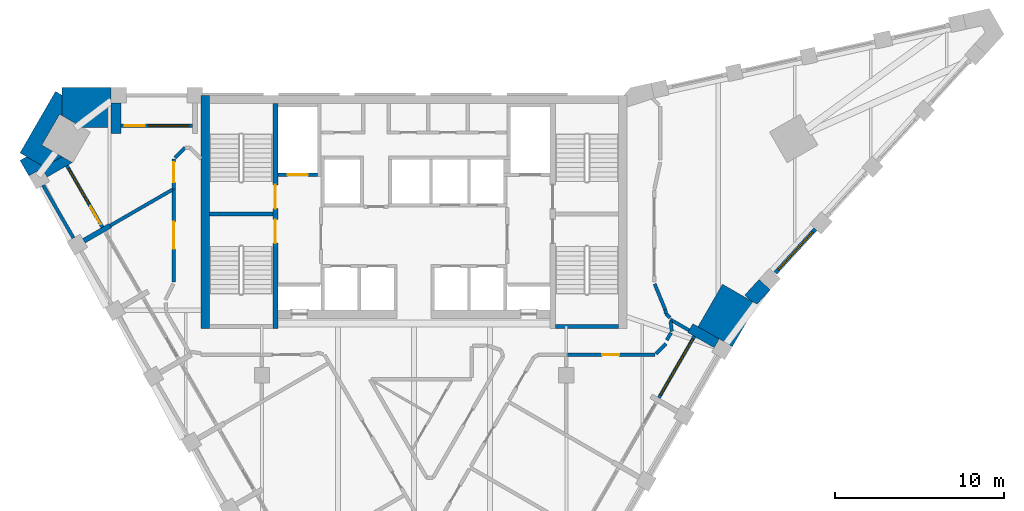
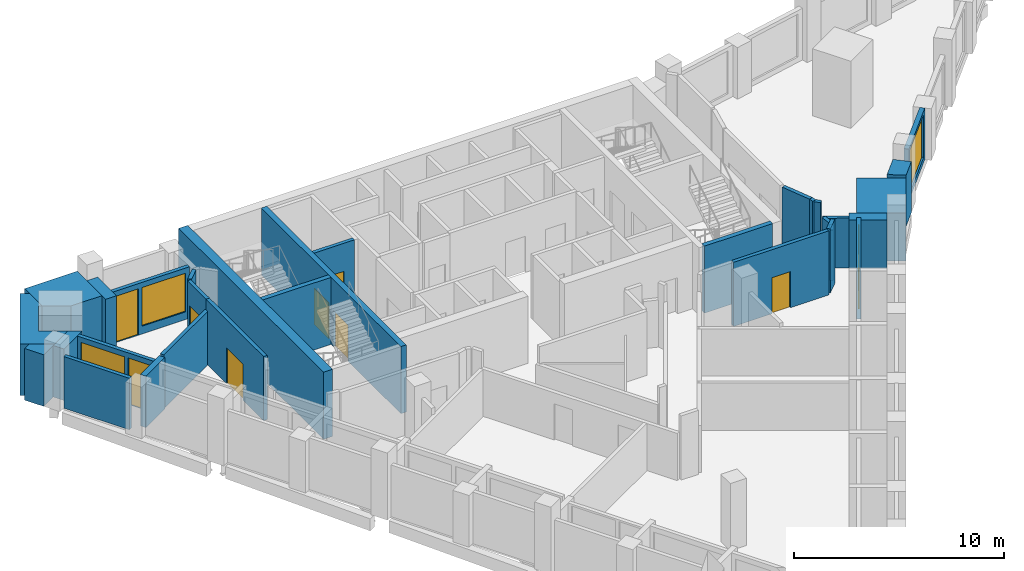
# One storey, part 5 of 9: 31 walls, 8 doors, 4 windows, 12 openings.
"""IFC4 building model written with IfcOpenShell, lengths in metres."""

from ifc_helpers import new_model, si_unit, direction, frame, frame_2d, origin, place, context, subcontext, project, spatial, polyline, rectangle, outline, extrude, material, layer, layer_set, type_object, element, fill, save


model = new_model("IFC4")

# Units and contexts
model_context = context("Model", 3, precision=1e-05, world=origin(), true_north=direction((0.0, 1.0)))
body_context = subcontext(model_context, "Body", "Model", "MODEL_VIEW")
ifc_project = project(units=[si_unit("LENGTHUNIT", "METRE"), si_unit("AREAUNIT", "SQUARE_METRE"), si_unit("VOLUMEUNIT", "CUBIC_METRE"), si_unit("PLANEANGLEUNIT", "RADIAN"), si_unit("MASSUNIT", "GRAM", prefix="KILO")], contexts=[model_context])

# Site, building, storey
site_placement = place(None, origin())
site = spatial("IfcSite", under=ifc_project, at=site_placement, CompositionType="ELEMENT")
building_placement = place(site_placement, origin())
building = spatial("IfcBuilding", under=site, at=building_placement, Name="Calabash Gate Tower", CompositionType="ELEMENT")
storey_placement = place(building_placement, frame((0.0, 0.0, 291.10009765625)))
storey = spatial("IfcBuildingStorey", under=building, at=storey_placement, Name="L70", CompositionType="ELEMENT", Elevation=291.10009765625)

# Walls
ifc_material_1 = material(Name="Terracotta brick masonry, exposed face", Category="masonry")
ifc_layer_1 = layer(ifc_material_1, 2.35009765625)
ifc_layer_set_1 = layer_set([ifc_layer_1], Name="Brick corner mass wall 2350")
wall_type_1 = type_object("IfcWallType", Name="Brick corner mass wall 2350", PredefinedType="SOLIDWALL", material=ifc_layer_set_1)
wall_1_placement = place(storey_placement, origin())
element("IfcWall", 1, at=wall_1_placement, inside=storey, type_object=wall_type_1, Name="Brick corner pier S21 2", PredefinedType="SOLIDWALL", context=body_context, shape_type="SweptSolid", body=[
    extrude(outline(polyline([(18.82275390625, 4.19482421875), (18.822509765625, 4.1943359375), (18.822509765625, 4.1943359375), (20.271240234375, 6.703125), (18.236083984375, 7.878173828125), (16.787353515625, 5.369140625), (18.04296875, 4.644287109375), (18.043212890625, 4.644775390625), (18.82275390625, 4.19482421875)])), origin(), (0.0, 0.0, 1.0), 2.807861328125),
])
wall_2_placement = place(storey_placement, origin())
element("IfcWall", 2, at=wall_2_placement, inside=storey, type_object=wall_type_1, Name="Brick corner pier S21 3a", PredefinedType="SOLIDWALL", context=body_context, shape_type="SweptSolid", body=[
    extrude(outline(polyline([(-19.6171875, 17.152587890625), (-17.915771484375, 17.152587890625), (-17.915771484375, 18.60302734375), (-17.916015625, 18.60302734375), (-17.916015625, 19.50244140625), (-20.812744140625, 19.50244140625), (-20.812744140625, 17.8427734375), (-19.6171875, 17.152587890625)])), origin(), (0.0, 0.0, 1.0), 3.0),
])
wall_3_placement = place(storey_placement, origin())
element("IfcWall", 3, at=wall_3_placement, inside=storey, type_object=wall_type_1, Name="Brick corner pier S21 3b", PredefinedType="SOLIDWALL", context=body_context, shape_type="SweptSolid", body=[
    extrude(outline(polyline([(-20.957275390625, 17.92626953125), (-20.812744140625, 17.8427734375), (-20.812744140625, 19.052490234375), (-21.202392578125, 19.277587890625), (-23.301025390625, 15.64306640625), (-21.862548828125, 14.8125), (-20.813232421875, 15.418212890625), (-22.00732421875, 16.107666015625), (-20.957275390625, 17.92626953125)])), origin(), (0.0, 0.0, 1.0), 3.0),
])
wall_4_placement = place(storey_placement, origin())
element("IfcWall", 4, at=wall_4_placement, inside=storey, type_object=wall_type_1, Name="Brick corner pier S21 3c", PredefinedType="SOLIDWALL", context=body_context, shape_type="SweptSolid", body=[
    extrude(outline(polyline([(-21.997314453125, 14.734619140625), (-21.862548828125, 14.8125), (-22.9111328125, 15.41796875), (-23.301025390625, 15.19287109375), (-22.776611328125, 14.28466796875), (-21.997314453125, 14.734619140625), (-21.997314453125, 14.734619140625)])), origin(), (0.0, 0.0, 1.0), 3.0),
])
ifc_material_2 = material(Name="Terracotta brick masonry, exposed face", Category="masonry")
ifc_layer_2 = layer(ifc_material_2, 0.89990234375)
ifc_layer_set_2 = layer_set([ifc_layer_2], Name="Brick end wall 900")
wall_type_2 = type_object("IfcWallType", Name="Brick end wall 900", PredefinedType="SOLIDWALL", material=ifc_layer_set_2)
wall_5_placement = place(storey_placement, origin())
element("IfcWall", 5, at=wall_5_placement, inside=storey, type_object=wall_type_2, Name="Brick end wall S21 1", PredefinedType="SOLIDWALL", context=body_context, shape_type="SweptSolid", body=[
    extrude(outline(polyline([(20.394775390625, 8.15625), (19.54931640625, 7.23193359375), (19.88134765625, 6.92822265625), (20.271240234375, 6.703125), (20.24658203125, 6.66064453125), (21.058837890625, 7.548828125), (20.394775390625, 8.15625)])), origin(), (0.0, 0.0, 1.0), 2.973388671875),
])
ifc_material_3 = material(Name="Terracotta brick masonry, exposed face", Category="masonry")
ifc_layer_3 = layer(ifc_material_3, 0.300048828125)
ifc_layer_set_3 = layer_set([ifc_layer_3], Name="Brick loggia cheek wall 300")
wall_type_3 = type_object("IfcWallType", Name="Brick loggia cheek wall 300", PredefinedType="SOLIDWALL", material=ifc_layer_set_3)
wall_6_placement = place(storey_placement, origin())
element("IfcWall", 6, at=wall_6_placement, inside=storey, type_object=wall_type_3, Name="Loggia cheek S21 SW0.0", PredefinedType="SOLIDWALL", context=body_context, shape_type="SweptSolid", body=[
    extrude(outline(polyline([(-21.9970703125, 14.73486328125), (-21.697265625, 14.215087890625), (-20.21337890625, 15.07177734375), (-20.813232421875, 15.418212890625), (-21.9970703125, 14.73486328125)])), origin(), (0.0, 0.0, 1.0), 3.0),
])
wall_7_placement = place(storey_placement, frame((-17.96337890625, 11.347900390625, 0.0), z_axis=(0.0, 0.0, 1.0), x_axis=(-0.866047807691, -0.499961193289, 0.0)))
element("IfcWall", 7, at=wall_7_placement, inside=storey, type_object=wall_type_3, Name="Loggia cheek S21 SW0.1", PredefinedType="SOLIDWALL", context=body_context, shape_type="SweptSolid", body=[
    extrude(rectangle(XDim=1.800048828125, YDim=0.300048828125, at=frame_2d((0.89990234375, 0.0))), origin(), (0.0, 0.0, 1.0), 3.0),
])
wall_8_placement = place(storey_placement, frame((17.89306640625, 4.384521484375, 0.0), z_axis=(0.0, 0.0, 1.0), x_axis=(-0.866047807691, 0.499961193289, 0.0)))
element("IfcWall", 8, at=wall_8_placement, inside=storey, type_object=wall_type_3, Name="Loggia cheek S21 SE2.6", PredefinedType="SOLIDWALL", context=body_context, shape_type="SweptSolid", body=[
    extrude(rectangle(XDim=1.800048828125, YDim=0.60009765625, at=frame_2d((0.89990234375, 0.0))), origin(), (0.0, 0.0, 1.0), 2.807861328125),
])
wall_9_placement = place(storey_placement, origin())
element("IfcWall", 9, at=wall_9_placement, inside=storey, type_object=wall_type_3, Name="Loggia cheek S21 N6.6", PredefinedType="SOLIDWALL", context=body_context, shape_type="SweptSolid", body=[
    extrude(outline(polyline([(-17.915771484375, 18.6025390625), (-17.915771484375, 16.802490234375), (-17.315673828125, 16.802490234375), (-17.315673828125, 18.6025390625), (-17.915771484375, 18.6025390625)])), origin(), (0.0, 0.0, 1.0), 3.0),
])
ifc_material_4 = material(Name="Concrete C60/75", Category="concrete")
ifc_layer_4 = layer(ifc_material_4, 0.25)
ifc_layer_set_4 = layer_set([ifc_layer_4], Name="Core wall 250 Concrete C60/75")
wall_type_4 = type_object("IfcWallType", Name="Core wall 250 Concrete C60/75", PredefinedType="SHEAR", material=ifc_layer_set_4)
for number, where, z_axis, x_axis, name in (
    (10, (-12.10009765625, 12.027587890625, 0.0), (0.0, 0.0, 1.0), (1.0, 0.0, 0.0), "Core wall Z5-MIDW L70"),
    (11, (8.35009765625, 5.377685546875, 0.0), (0.0, 0.0, 1.0), (1.0, 0.0, 0.0), "Core wall Z5-SSE L70"),
):
    element("IfcWall", number, at=place(storey_placement, frame(where, z_axis=z_axis, x_axis=x_axis)), inside=storey, type_object=wall_type_4, Name=name, PredefinedType="SHEAR", context=body_context, shape_type="SweptSolid", body=[
        extrude(rectangle(XDim=3.75, YDim=0.25, at=frame_2d((1.875, 0.0))), origin(), (0.0, 0.0, 1.0), 3.89990234375),
    ])

# Wall, openings, doors
ifc_material_5 = material(Name="Concrete C60/75", Category="concrete")
ifc_layer_5 = layer(ifc_material_5, 0.300048828125)
ifc_layer_set_5 = layer_set([ifc_layer_5], Name="Core wall 300 Concrete C60/75")
wall_type_5 = type_object("IfcWallType", Name="Core wall 300 Concrete C60/75", PredefinedType="SHEAR", material=ifc_layer_set_5)
wall_10_placement = place(storey_placement, frame((-8.199951171875, 5.252685546875, 0.0), z_axis=(0.0, 0.0, 1.0), x_axis=(0.0, 1.0, 0.0)))
wall_10 = element("IfcWall", 12, at=wall_10_placement, inside=storey, type_object=wall_type_5, Name="Core wall Z5-PARTW L70", PredefinedType="SHEAR", context=body_context, shape_type="SweptSolid", body=[
    extrude(rectangle(XDim=13.2998046875, YDim=0.300048828125, at=frame_2d((6.64990234375, 0.0))), origin(), (0.0, 0.0, 1.0), 3.89990234375),
])
opening_1_placement = place(wall_10_placement, frame((7.10009765625, 0.0, 0.0)))
opening_1 = element("IfcOpeningElement", 13, at=opening_1_placement, cuts=wall_10, Name="Opening O13-010", PredefinedType="OPENING", context=body_context, shape_type="SweptSolid", body=[
    extrude(rectangle(XDim=1.39990234375, YDim=2.10009765625, at=frame_2d((0.699951171875, 1.050048828125))), frame((0.0, 0.159912109375, 0.0), z_axis=(0.0, -1.0, 0.0), x_axis=(1.0, 0.0, 0.0)), (0.0, 0.0, 1.0), 0.320068359375),
])
opening_2_placement = place(wall_10_placement, frame((5.050048828125, 0.0, 0.0)))
opening_2 = element("IfcOpeningElement", 14, at=opening_2_placement, cuts=wall_10, Name="Opening O13-011", PredefinedType="OPENING", context=body_context, shape_type="SweptSolid", body=[
    extrude(rectangle(XDim=1.39990234375, YDim=2.10009765625, at=frame_2d((0.699951171875, 1.050048828125))), frame((0.0, 0.159912109375, 0.0), z_axis=(0.0, -1.0, 0.0), x_axis=(1.0, 0.0, 0.0)), (0.0, 0.0, 1.0), 0.320068359375),
])
ifc_material_6 = material(Name="Steel fire door set with fire-resisting glazing", Category="steel")
door_type_1 = type_object("IfcDoorType", Name="Fire door D05 1400x2100 FD90", OperationType="NOTDEFINED", PredefinedType="DOOR", material=ifc_material_6)
door_1_placement = place(opening_1_placement, origin())
door_1 = element("IfcDoor", 15, at=door_1_placement, inside=storey, type_object=door_type_1, Name="Exit stair door ST1", OperationType="SINGLE_SWING_LEFT", OverallHeight=2.10009765625, OverallWidth=1.39990234375, PredefinedType="DOOR", context=body_context, shape_type="SweptSolid", body=[
    extrude(rectangle(XDim=1.39990234375, YDim=2.10009765625, at=frame_2d((0.699951171875, 1.050048828125))), frame((0.0, 0.02490234375, 0.0), z_axis=(0.0, -1.0, 0.0), x_axis=(1.0, 0.0, 0.0)), (0.0, 0.0, 1.0), 0.050048828125),
])
fill(opening_1, door_1)
door_2_placement = place(opening_2_placement, origin())
door_2 = element("IfcDoor", 16, at=door_2_placement, inside=storey, type_object=door_type_1, Name="Exit stair door ST2", OperationType="SINGLE_SWING_LEFT", OverallHeight=2.10009765625, OverallWidth=1.39990234375, PredefinedType="DOOR", context=body_context, shape_type="SweptSolid", body=[
    extrude(rectangle(XDim=1.39990234375, YDim=2.10009765625, at=frame_2d((0.699951171875, 1.050048828125))), frame((0.0, 0.02490234375, 0.0), z_axis=(0.0, -1.0, 0.0), x_axis=(1.0, 0.0, 0.0)), (0.0, 0.0, 1.0), 0.050048828125),
])
fill(opening_2, door_2)

# Wall
ifc_material_7 = material(Name="Concrete C60/75", Category="concrete")
ifc_layer_6 = layer(ifc_material_7, 0.5)
ifc_layer_set_6 = layer_set([ifc_layer_6], Name="Core wall 500 Concrete C60/75")
wall_type_6 = type_object("IfcWallType", Name="Core wall 500 Concrete C60/75", PredefinedType="SHEAR", material=ifc_layer_set_6)
wall_11_placement = place(storey_placement, frame((-12.35009765625, 5.252685546875, 0.0), z_axis=(0.0, 0.0, 1.0), x_axis=(0.0, 1.0, 0.0)))
element("IfcWall", 17, at=wall_11_placement, inside=storey, type_object=wall_type_6, Name="Core wall Z5-COLW L70", PredefinedType="SHEAR", context=body_context, shape_type="SweptSolid", body=[
    extrude(rectangle(XDim=13.7998046875, YDim=0.5, at=frame_2d((6.89990234375, 0.0))), origin(), (0.0, 0.0, 1.0), 3.89990234375),
])

# Wall, opening, door
ifc_material_8 = material(Name="Gypsum board on steel studs, mineral wool", Category="steel")
ifc_layer_7 = layer(ifc_material_8, 0.199951171875)
ifc_layer_set_7 = layer_set([ifc_layer_7], Name="Partition 200 gypsum board EI 60")
wall_type_7 = type_object("IfcWallType", Name="Partition 200 gypsum board EI 60", PredefinedType="PARTITIONING", material=ifc_layer_set_7)
wall_12_placement = place(storey_placement, frame((9.0, 3.697998046875, 0.0), z_axis=(0.0, 0.0, 1.0), x_axis=(0.999999960926, 0.000279550844, 0.0)))
wall_12 = element("IfcWall", 18, at=wall_12_placement, inside=storey, type_object=wall_type_7, Name="Partition", PredefinedType="PARTITIONING", context=body_context, shape_type="SweptSolid", body=[
    extrude(rectangle(XDim=5.239990234375, YDim=0.199951171875, at=frame_2d((2.6201171875, 0.0))), origin(), (0.0, 0.0, 1.0), 3.72998046875),
])
opening_3_placement = place(wall_12_placement, frame((2.118896484375, 0.0, 0.0)))
opening_3 = element("IfcOpeningElement", 19, at=opening_3_placement, cuts=wall_12, Name="Opening 69-70-009", PredefinedType="OPENING", context=body_context, shape_type="SweptSolid", body=[
    extrude(rectangle(XDim=1.0, YDim=2.10009765625, at=frame_2d((0.5, 1.050048828125))), frame((0.0, 0.10986328125, 0.0), z_axis=(0.0, -1.0, 0.0), x_axis=(1.0, 0.0, 0.0)), (0.0, 0.0, 1.0), 0.219970703125),
])
ifc_material_9 = material(Name="Steel fire door set with fire-resisting glazing", Category="steel")
door_type_2 = type_object("IfcDoorType", Name="LD2 Meeting room door 1000x2100", OperationType="NOTDEFINED", PredefinedType="DOOR", material=ifc_material_9)
door_3_placement = place(opening_3_placement, origin())
door_3 = element("IfcDoor", 20, at=door_3_placement, inside=storey, type_object=door_type_2, Name="Meeting room door", OperationType="SINGLE_SWING_LEFT", OverallHeight=2.10009765625, OverallWidth=1.0, PredefinedType="DOOR", context=body_context, shape_type="SweptSolid", body=[
    extrude(rectangle(XDim=1.0, YDim=2.10009765625, at=frame_2d((0.5, 1.050048828125))), frame((0.0, 0.02490234375, 0.0), z_axis=(0.0, -1.0, 0.0), x_axis=(1.0, 0.0, 0.0)), (0.0, 0.0, 1.0), 0.050048828125),
])
fill(opening_3, door_3)

# Walls
wall_13_placement = place(storey_placement, frame((14.310791015625, 3.770263671875, 0.0), z_axis=(0.0, 0.0, 1.0), x_axis=(0.707253195258, 0.706960336792, 0.0)))
element("IfcWall", 21, at=wall_13_placement, inside=storey, type_object=wall_type_7, Name="Partition", PredefinedType="PARTITIONING", context=body_context, shape_type="SweptSolid", body=[
    extrude(rectangle(XDim=0.833740234375, YDim=0.199951171875, at=frame_2d((0.4169921875, 0.0))), origin(), (0.0, 0.0, 1.0), 3.72998046875),
])
wall_14_placement = place(storey_placement, frame((14.94384765625, 4.5751953125, 0.0), z_axis=(0.0, 0.0, 1.0), x_axis=(0.500261223325, 0.865874533889, 0.0)))
element("IfcWall", 22, at=wall_14_placement, inside=storey, type_object=wall_type_7, Name="Partition", PredefinedType="PARTITIONING", context=body_context, shape_type="SweptSolid", body=[
    extrude(rectangle(XDim=0.496826171875, YDim=0.199951171875, at=frame_2d((0.24853515625, 0.0))), origin(), (0.0, 0.0, 1.0), 2.949951171875),
])
wall_15_placement = place(storey_placement, frame((15.150146484375, 5.79248046875, 0.0), z_axis=(0.0, 0.0, 1.0), x_axis=(0.866759924499, -0.49872560921, 0.0)))
element("IfcWall", 23, at=wall_15_placement, inside=storey, type_object=wall_type_7, Name="Partition", PredefinedType="PARTITIONING", context=body_context, shape_type="SweptSolid", body=[
    extrude(rectangle(XDim=1.279541015625, YDim=0.199951171875, at=frame_2d((0.6396484375, 0.0))), origin(), (0.0, 0.0, 1.0), 2.884033203125),
])
wall_16_placement = place(storey_placement, frame((15.164306640625, 5.694580078125, 0.0), z_axis=(0.0, 0.0, 1.0), x_axis=(0.128583301344, -0.991698711613, 0.0)))
element("IfcWall", 24, at=wall_16_placement, inside=storey, type_object=wall_type_7, Name="Partition", PredefinedType="PARTITIONING", context=body_context, shape_type="SweptSolid", body=[
    extrude(rectangle(XDim=0.607666015625, YDim=0.199951171875, at=frame_2d((0.3037109375, 0.0))), origin(), (0.0, 0.0, 1.0), 2.949951171875),
])
wall_17_placement = place(storey_placement, frame((14.8994140625, 6.127197265625, 0.0), z_axis=(0.0, 0.0, 1.0), x_axis=(0.707106781187, -0.707106781187, 0.0)))
element("IfcWall", 25, at=wall_17_placement, inside=storey, type_object=wall_type_7, Name="Partition", PredefinedType="PARTITIONING", context=body_context, shape_type="SweptSolid", body=[
    extrude(rectangle(XDim=0.336669921875, YDim=0.199951171875, at=frame_2d((0.16845703125, 0.0))), origin(), (0.0, 0.0, 1.0), 3.72998046875),
])
wall_18_placement = place(storey_placement, frame((14.8505859375, 6.37353515625, 0.0), z_axis=(0.0, 0.0, 1.0), x_axis=(0.194433250977, -0.980915751181, 0.0)))
element("IfcWall", 26, at=wall_18_placement, inside=storey, type_object=wall_type_7, Name="Partition", PredefinedType="PARTITIONING", context=body_context, shape_type="SweptSolid", body=[
    extrude(rectangle(XDim=0.251220703125, YDim=0.199951171875, at=frame_2d((0.12548828125, 0.0))), origin(), (0.0, 0.0, 1.0), 3.72998046875),
])
wall_19_placement = place(storey_placement, frame((14.22509765625, 7.892822265625, 0.0), z_axis=(0.0, 0.0, 1.0), x_axis=(0.380697489052, -0.924699638709, 0.0)))
element("IfcWall", 27, at=wall_19_placement, inside=storey, type_object=wall_type_7, Name="Partition", PredefinedType="PARTITIONING", context=body_context, shape_type="SweptSolid", body=[
    extrude(rectangle(XDim=1.64306640625, YDim=0.199951171875, at=frame_2d((0.821533203125, 0.0))), origin(), (0.0, 0.0, 1.0), 3.72998046875),
])

# Wall, opening, door
wall_20_placement = place(storey_placement, frame((-14.201904296875, 13.51953125, 0.0), z_axis=(0.0, 0.0, 1.0), x_axis=(0.000266228859, -0.999999964561, 0.0)))
wall_20 = element("IfcWall", 28, at=wall_20_placement, inside=storey, type_object=wall_type_7, Name="Partition", PredefinedType="PARTITIONING", context=body_context, shape_type="SweptSolid", body=[
    extrude(rectangle(XDim=5.502197265625, YDim=0.199951171875, at=frame_2d((2.7509765625, 0.0))), origin(), (0.0, 0.0, 1.0), 3.72998046875),
])
opening_4_placement = place(wall_20_placement, frame((1.94970703125, 0.0, 0.0)))
opening_4 = element("IfcOpeningElement", 29, at=opening_4_placement, cuts=wall_20, Name="Opening 69-70-005", PredefinedType="OPENING", context=body_context, shape_type="SweptSolid", body=[
    extrude(rectangle(XDim=1.60009765625, YDim=2.10009765625, at=frame_2d((0.800048828125, 1.050048828125))), frame((0.0, 0.10986328125, 0.0), z_axis=(0.0, -1.0, 0.0), x_axis=(1.0, 0.0, 0.0)), (0.0, 0.0, 1.0), 0.219970703125),
])
ifc_material_10 = material(Name="Steel fire door set with fire-resisting glazing", Category="steel")
door_type_3 = type_object("IfcDoorType", Name="LD1 Lounge double door 1600x2100", OperationType="NOTDEFINED", PredefinedType="DOOR", material=ifc_material_10)
door_4_placement = place(opening_4_placement, origin())
door_4 = element("IfcDoor", 30, at=door_4_placement, inside=storey, type_object=door_type_3, Name="Lounge double door", OperationType="DOUBLE_DOOR_SINGLE_SWING", OverallHeight=2.10009765625, OverallWidth=1.60009765625, PredefinedType="DOOR", context=body_context, shape_type="SweptSolid", body=[
    extrude(rectangle(XDim=1.60009765625, YDim=2.10009765625, at=frame_2d((0.800048828125, 1.050048828125))), frame((0.0, 0.02490234375, 0.0), z_axis=(0.0, -1.0, 0.0), x_axis=(1.0, 0.0, 0.0)), (0.0, 0.0, 1.0), 0.050048828125),
])
fill(opening_4, door_4)

# Wall
wall_21_placement = place(storey_placement, frame((-17.96337890625, 11.34814453125, 0.0), z_axis=(0.0, 0.0, 1.0), x_axis=(0.866018937599, 0.500011199594, 0.0)))
element("IfcWall", 31, at=wall_21_placement, inside=storey, type_object=wall_type_7, Name="Partition", PredefinedType="PARTITIONING", context=body_context, shape_type="SweptSolid", body=[
    extrude(rectangle(XDim=4.2451171875, YDim=0.199951171875, at=frame_2d((2.12255859375, 0.0))), origin(), (0.0, 0.0, 1.0), 3.1279296875),
])

# Wall, opening, door
wall_22_placement = place(storey_placement, frame((-14.200439453125, 13.5205078125, 0.0), z_axis=(0.0, 0.0, 1.0), x_axis=(0.0, 1.0, 0.0)))
wall_22 = element("IfcWall", 32, at=wall_22_placement, inside=storey, type_object=wall_type_7, Name="Partition", PredefinedType="PARTITIONING", context=body_context, shape_type="SweptSolid", body=[
    extrude(rectangle(XDim=1.7724609375, YDim=0.199951171875, at=frame_2d((0.88623046875, 0.0))), origin(), (0.0, 0.0, 1.0), 3.72998046875),
])
opening_5_placement = place(wall_22_placement, frame((0.385009765625, 0.0, 0.0)))
opening_5 = element("IfcOpeningElement", 33, at=opening_5_placement, cuts=wall_22, Name="Opening 69-70-006", PredefinedType="OPENING", context=body_context, shape_type="SweptSolid", body=[
    extrude(rectangle(XDim=1.199951171875, YDim=2.39990234375, at=frame_2d((0.60009765625, 1.199951171875))), frame((0.0, 0.10986328125, 0.0), z_axis=(0.0, -1.0, 0.0), x_axis=(1.0, 0.0, 0.0)), (0.0, 0.0, 1.0), 0.219970703125),
])
ifc_material_11 = material(Name="Steel fire door set with fire-resisting glazing", Category="steel")
door_type_4 = type_object("IfcDoorType", Name="OD3 Boardroom door 1200x2400", OperationType="NOTDEFINED", PredefinedType="DOOR", material=ifc_material_11)
door_5_placement = place(opening_5_placement, origin())
door_5 = element("IfcDoor", 34, at=door_5_placement, inside=storey, type_object=door_type_4, Name="Boardroom door", OperationType="SINGLE_SWING_LEFT", OverallHeight=2.39990234375, OverallWidth=1.199951171875, PredefinedType="DOOR", context=body_context, shape_type="SweptSolid", body=[
    extrude(rectangle(XDim=1.199951171875, YDim=2.39990234375, at=frame_2d((0.60009765625, 1.199951171875))), frame((0.0, 0.02490234375, 0.0), z_axis=(0.0, -1.0, 0.0), x_axis=(1.0, 0.0, 0.0)), (0.0, 0.0, 1.0), 0.050048828125),
])
fill(opening_5, door_5)

# Wall
wall_23_placement = place(storey_placement, frame((-14.129638671875, 15.363525390625, 0.0), z_axis=(0.0, 0.0, 1.0), x_axis=(0.707106781187, 0.707106781187, 0.0)))
element("IfcWall", 35, at=wall_23_placement, inside=storey, type_object=wall_type_7, Name="Partition", PredefinedType="PARTITIONING", context=body_context, shape_type="SweptSolid", body=[
    extrude(rectangle(XDim=0.833740234375, YDim=0.199951171875, at=frame_2d((0.4169921875, 0.0))), origin(), (0.0, 0.0, 1.0), 3.72998046875),
])

# Wall, opening, window
ifc_material_12 = material(Name="Aluminium framed window wall with insulated spandrel", Category="aluminium")
ifc_layer_8 = layer(ifc_material_12, 0.25)
ifc_layer_set_8 = layer_set([ifc_layer_8], Name="Prow window wall 250")
wall_type_8 = type_object("IfcWallType", Name="Prow window wall 250", PredefinedType="ELEMENTEDWALL", material=ifc_layer_set_8)
wall_24_placement = place(storey_placement, frame((21.367919921875, 8.5537109375, 0.0), z_axis=(0.0, 0.0, 1.0), x_axis=(0.67487449122, 0.737932531537, 0.0)))
wall_24 = element("IfcWall", 36, at=wall_24_placement, inside=storey, type_object=wall_type_8, Name="Prow window wall S21 wedge3.1", PredefinedType="ELEMENTEDWALL", context=body_context, shape_type="SweptSolid", body=[
    extrude(rectangle(XDim=3.5, YDim=0.25, at=frame_2d((1.75, 0.0))), origin(), (0.0, 0.0, 1.0), 3.0),
])
opening_6_placement = place(wall_24_placement, frame((0.25, 0.0, 0.300048828125)))
opening_6 = element("IfcOpeningElement", 37, at=opening_6_placement, cuts=wall_24, Name="Opening WP2", PredefinedType="OPENING", context=body_context, shape_type="SweptSolid", body=[
    extrude(rectangle(XDim=3.0, YDim=2.5, at=frame_2d((1.5, 1.25))), frame((0.0, 0.135009765625, 0.0), z_axis=(0.0, -1.0, 0.0), x_axis=(1.0, 0.0, 0.0)), (0.0, 0.0, 1.0), 0.27001953125),
])
ifc_material_13 = material(Name="Anodised aluminium frame, bronze finish, impact-rated laminated clear glazing", Category="aluminium")
window_type_1 = type_object("IfcWindowType", Name="Window WP2 3000x2500", PartitioningType="DOUBLE_PANEL_VERTICAL", PredefinedType="WINDOW", material=ifc_material_13)
window_1_placement = place(opening_6_placement, origin())
window_1 = element("IfcWindow", 38, at=window_1_placement, inside=storey, type_object=window_type_1, Name="Prow window WP2 S21 wedge3.1", OverallHeight=2.5, OverallWidth=3.0, PartitioningType="SINGLE_PANEL", PredefinedType="WINDOW", context=body_context, shape_type="SweptSolid", body=[
    extrude(rectangle(XDim=3.0, YDim=2.5, at=frame_2d((1.5, 1.25))), frame((0.0, 0.030029296875, 0.0), z_axis=(0.0, -1.0, 0.0), x_axis=(1.0, 0.0, 0.0)), (0.0, 0.0, 1.0), 0.06005859375),
])
fill(opening_6, window_1)

# Wall, opening, door
ifc_material_14 = material(Name="Concrete C40/50", Category="concrete")
ifc_layer_9 = layer(ifc_material_14, 0.199951171875)
ifc_layer_set_9 = layer_set([ifc_layer_9], Name="Shaft wall 200 Concrete C40/50")
wall_type_9 = type_object("IfcWallType", Name="Shaft wall 200 Concrete C40/50", PredefinedType="SOLIDWALL", material=ifc_layer_set_9)
wall_25_placement = place(storey_placement, frame((-8.050048828125, 14.3525390625, 0.0), z_axis=(0.0, 0.0, 1.0), x_axis=(1.0, 0.0, 0.0)))
wall_25 = element("IfcWall", 39, at=wall_25_placement, inside=storey, type_object=wall_type_9, Name="Shaft wall", PredefinedType="SOLIDWALL", context=body_context, shape_type="SweptSolid", body=[
    extrude(rectangle(XDim=2.35009765625, YDim=0.199951171875, at=frame_2d((1.175048828125, 0.0))), origin(), (0.0, 0.0, 1.0), 3.72998046875),
])
opening_7_placement = place(wall_25_placement, frame((0.574951171875, 0.0, 0.0)))
opening_7 = element("IfcOpeningElement", 40, at=opening_7_placement, cuts=wall_25, Name="Opening LD-FF1", PredefinedType="OPENING", context=body_context, shape_type="SweptSolid", body=[
    extrude(rectangle(XDim=1.199951171875, YDim=2.10009765625, at=frame_2d((0.60009765625, 1.050048828125))), frame((0.0, 0.10986328125, 0.0), z_axis=(0.0, -1.0, 0.0), x_axis=(1.0, 0.0, 0.0)), (0.0, 0.0, 1.0), 0.219970703125),
])
ifc_material_15 = material(Name="Stainless steel sliding door leaves", Category="steel")
door_type_5 = type_object("IfcDoorType", Name="Lift landing door LS3 1200x2100 FD90", OperationType="DOUBLE_DOOR_SLIDING", PredefinedType="DOOR", material=ifc_material_15)
door_6_placement = place(opening_7_placement, origin())
door_6 = element("IfcDoor", 41, at=door_6_placement, inside=storey, type_object=door_type_5, Name="Lift landing door FF1", OperationType="DOUBLE_DOOR_SLIDING", OverallHeight=2.10009765625, OverallWidth=1.199951171875, PredefinedType="DOOR", context=body_context, shape_type="SweptSolid", body=[
    extrude(rectangle(XDim=1.199951171875, YDim=2.10009765625, at=frame_2d((0.60009765625, 1.050048828125))), frame((0.0, 0.02490234375, 0.0), z_axis=(0.0, -1.0, 0.0), x_axis=(1.0, 0.0, 0.0)), (0.0, 0.0, 1.0), 0.050048828125),
])
fill(opening_7, door_6)

# Wall
ifc_material_16 = material(Name="Terracotta brick masonry, perforated", Category="masonry")
ifc_layer_10 = layer(ifc_material_16, 0.199951171875)
ifc_layer_set_10 = layer_set([ifc_layer_10], Name="Terracotta jaali screen A")
wall_type_10 = type_object("IfcWallType", Name="Terracotta jaali screen A", PredefinedType="SOLIDWALL", material=ifc_layer_set_10)
wall_26_placement = place(storey_placement, frame((-21.936767578125, 13.73046875, 0.0), z_axis=(0.0, 0.0, 1.0), x_axis=(0.499931829785, -0.866064758299, 0.0)))
element("IfcWall", 42, at=wall_26_placement, inside=storey, type_object=wall_type_10, Name="SCREEN A S21 SW0.1", PredefinedType="SOLIDWALL", context=body_context, shape_type="SweptSolid", body=[
    extrude(rectangle(XDim=3.60009765625, YDim=0.199951171875, at=frame_2d((1.800048828125, 0.0))), origin(), (0.0, 0.0, 1.0), 3.0),
])

# Wall, openings, door, window
ifc_material_17 = material(Name="Aluminium framed window wall with insulated spandrel", Category="aluminium")
ifc_layer_11 = layer(ifc_material_17, 0.199951171875)
ifc_layer_set_11 = layer_set([ifc_layer_11], Name="Window wall 200")
wall_type_11 = type_object("IfcWallType", Name="Window wall 200", PredefinedType="ELEMENTEDWALL", material=ifc_layer_set_11)
wall_27_placement = place(storey_placement, frame((-20.528076171875, 14.89013671875, 0.0), z_axis=(0.0, 0.0, 1.0), x_axis=(0.500027713859, -0.866009402589, 0.0)))
wall_27 = element("IfcWall", 43, at=wall_27_placement, inside=storey, type_object=wall_type_11, Name="Window wall S21 SW0.1", PredefinedType="ELEMENTEDWALL", context=body_context, shape_type="SweptSolid", body=[
    extrude(rectangle(XDim=4.199951171875, YDim=0.199951171875, at=frame_2d((2.10009765625, 0.0))), origin(), (0.0, 0.0, 1.0), 3.0),
])
opening_8_placement = place(wall_27_placement, frame((0.199951171875, 0.0, 0.449951171875)))
opening_8 = element("IfcOpeningElement", 44, at=opening_8_placement, cuts=wall_27, Name="Opening OW1", PredefinedType="OPENING", context=body_context, shape_type="SweptSolid", body=[
    extrude(rectangle(XDim=2.39990234375, YDim=2.25, at=frame_2d((1.199951171875, 1.125))), frame((0.0, 0.10986328125, 0.0), z_axis=(0.0, -1.0, 0.0), x_axis=(1.0, 0.0, 0.0)), (0.0, 0.0, 1.0), 0.219970703125),
])
opening_9_placement = place(wall_27_placement, frame((2.800048828125, 0.0, 0.0)))
opening_9 = element("IfcOpeningElement", 45, at=opening_9_placement, cuts=wall_27, Name="Opening O13-018", PredefinedType="OPENING", context=body_context, shape_type="SweptSolid", body=[
    extrude(rectangle(XDim=1.199951171875, YDim=2.699951171875, at=frame_2d((0.60009765625, 1.35009765625))), frame((0.0, 0.10986328125, 0.0), z_axis=(0.0, -1.0, 0.0), x_axis=(1.0, 0.0, 0.0)), (0.0, 0.0, 1.0), 0.219970703125),
])
ifc_material_18 = material(Name="Anodised aluminium frame, bronze finish, impact-rated laminated clear glazing", Category="aluminium")
door_type_6 = type_object("IfcDoorType", Name="Loggia door DO1 1200x2700", OperationType="SLIDING_TO_LEFT", PredefinedType="DOOR", material=ifc_material_18)
door_7_placement = place(opening_9_placement, origin())
door_7 = element("IfcDoor", 46, at=door_7_placement, inside=storey, type_object=door_type_6, Name="Loggia door S21 SW0.1", OperationType="SINGLE_SWING_LEFT", OverallHeight=2.699951171875, OverallWidth=1.199951171875, PredefinedType="DOOR", context=body_context, shape_type="SweptSolid", body=[
    extrude(rectangle(XDim=1.199951171875, YDim=2.699951171875, at=frame_2d((0.60009765625, 1.35009765625))), frame((0.0, 0.02490234375, 0.0), z_axis=(0.0, -1.0, 0.0), x_axis=(1.0, 0.0, 0.0)), (0.0, 0.0, 1.0), 0.050048828125),
])
fill(opening_9, door_7)
ifc_material_19 = material(Name="Anodised aluminium frame, bronze finish, impact-rated laminated clear glazing", Category="aluminium")
window_type_2 = type_object("IfcWindowType", Name="Window OW1 2400x2250", PartitioningType="DOUBLE_PANEL_VERTICAL", PredefinedType="WINDOW", material=ifc_material_19)
window_2_placement = place(opening_8_placement, origin())
window_2 = element("IfcWindow", 47, at=window_2_placement, inside=storey, type_object=window_type_2, Name="Window OW1 S21 SW0.1", OverallHeight=2.25, OverallWidth=2.39990234375, PartitioningType="SINGLE_PANEL", PredefinedType="WINDOW", context=body_context, shape_type="SweptSolid", body=[
    extrude(rectangle(XDim=2.39990234375, YDim=2.25, at=frame_2d((1.199951171875, 1.125))), frame((0.0, 0.030029296875, 0.0), z_axis=(0.0, -1.0, 0.0), x_axis=(1.0, 0.0, 0.0)), (0.0, 0.0, 1.0), 0.06005859375),
])
fill(opening_8, window_2)

# Wall, opening, window
wall_28_placement = place(storey_placement, frame((14.47412109375, 1.162353515625, 0.0), z_axis=(0.0, 0.0, 1.0), x_axis=(0.49998411664, 0.866034573852, 0.0)))
wall_28 = element("IfcWall", 48, at=wall_28_placement, inside=storey, type_object=wall_type_11, Name="Window wall S21 SE2.6", PredefinedType="ELEMENTEDWALL", context=body_context, shape_type="SweptSolid", body=[
    extrude(rectangle(XDim=4.199951171875, YDim=0.199951171875, at=frame_2d((2.10009765625, 0.0))), origin(), (0.0, 0.0, 1.0), 2.949951171875),
])
opening_10_placement = place(wall_28_placement, frame((0.199951171875, 0.0, 0.449951171875)))
opening_10 = element("IfcOpeningElement", 49, at=opening_10_placement, cuts=wall_28, Name="Opening OW2", PredefinedType="OPENING", context=body_context, shape_type="SweptSolid", body=[
    extrude(rectangle(XDim=3.800048828125, YDim=2.25, at=frame_2d((1.89990234375, 1.125))), frame((0.0, 0.10986328125, 0.0), z_axis=(0.0, -1.0, 0.0), x_axis=(1.0, 0.0, 0.0)), (0.0, 0.0, 1.0), 0.219970703125),
])
ifc_material_20 = material(Name="Anodised aluminium frame, bronze finish, impact-rated laminated clear glazing", Category="aluminium")
window_type_3 = type_object("IfcWindowType", Name="Window OW2 3800x2250", PartitioningType="TRIPLE_PANEL_VERTICAL", PredefinedType="WINDOW", material=ifc_material_20)
window_3_placement = place(opening_10_placement, origin())
window_3 = element("IfcWindow", 50, at=window_3_placement, inside=storey, type_object=window_type_3, Name="Window OW2 S21 SE2.6", OverallHeight=2.25, OverallWidth=3.800048828125, PartitioningType="SINGLE_PANEL", PredefinedType="WINDOW", context=body_context, shape_type="SweptSolid", body=[
    extrude(rectangle(XDim=3.800048828125, YDim=2.25, at=frame_2d((1.89990234375, 1.125))), frame((0.0, 0.030029296875, 0.0), z_axis=(0.0, -1.0, 0.0), x_axis=(1.0, 0.0, 0.0)), (0.0, 0.0, 1.0), 0.06005859375),
])
fill(opening_10, window_3)

# Wall, openings, door, window
wall_29_placement = place(storey_placement, frame((-13.11572265625, 17.25244140625, 0.0), z_axis=(0.0, 0.0, 1.0), x_axis=(-1.0, 0.0, 0.0)))
wall_29 = element("IfcWall", 51, at=wall_29_placement, inside=storey, type_object=wall_type_11, Name="Window wall S21 N6.6", PredefinedType="ELEMENTEDWALL", context=body_context, shape_type="SweptSolid", body=[
    extrude(rectangle(XDim=4.199951171875, YDim=0.199951171875, at=frame_2d((2.10009765625, 0.0))), origin(), (0.0, 0.0, 1.0), 3.0),
])
opening_11_placement = place(wall_29_placement, frame((0.199951171875, 0.0, 0.449951171875)))
opening_11 = element("IfcOpeningElement", 52, at=opening_11_placement, cuts=wall_29, Name="Opening OW1", PredefinedType="OPENING", context=body_context, shape_type="SweptSolid", body=[
    extrude(rectangle(XDim=2.39990234375, YDim=2.25, at=frame_2d((1.199951171875, 1.125))), frame((0.0, 0.10986328125, 0.0), z_axis=(0.0, -1.0, 0.0), x_axis=(1.0, 0.0, 0.0)), (0.0, 0.0, 1.0), 0.219970703125),
])
opening_12_placement = place(wall_29_placement, frame((2.800048828125, 0.0, 0.0)))
opening_12 = element("IfcOpeningElement", 53, at=opening_12_placement, cuts=wall_29, Name="Opening O13-014", PredefinedType="OPENING", context=body_context, shape_type="SweptSolid", body=[
    extrude(rectangle(XDim=1.199951171875, YDim=2.699951171875, at=frame_2d((0.60009765625, 1.35009765625))), frame((0.0, 0.10986328125, 0.0), z_axis=(0.0, -1.0, 0.0), x_axis=(1.0, 0.0, 0.0)), (0.0, 0.0, 1.0), 0.219970703125),
])
door_8_placement = place(opening_12_placement, origin())
door_8 = element("IfcDoor", 54, at=door_8_placement, inside=storey, type_object=door_type_6, Name="Loggia door S21 N6.6", OperationType="SINGLE_SWING_LEFT", OverallHeight=2.699951171875, OverallWidth=1.199951171875, PredefinedType="DOOR", context=body_context, shape_type="SweptSolid", body=[
    extrude(rectangle(XDim=1.199951171875, YDim=2.699951171875, at=frame_2d((0.60009765625, 1.35009765625))), frame((0.0, 0.02490234375, 0.0), z_axis=(0.0, -1.0, 0.0), x_axis=(1.0, 0.0, 0.0)), (0.0, 0.0, 1.0), 0.050048828125),
])
fill(opening_12, door_8)
window_4_placement = place(opening_11_placement, origin())
window_4 = element("IfcWindow", 55, at=window_4_placement, inside=storey, type_object=window_type_2, Name="Window OW1 S21 N6.6", OverallHeight=2.25, OverallWidth=2.39990234375, PartitioningType="SINGLE_PANEL", PredefinedType="WINDOW", context=body_context, shape_type="SweptSolid", body=[
    extrude(rectangle(XDim=2.39990234375, YDim=2.25, at=frame_2d((1.199951171875, 1.125))), frame((0.0, 0.030029296875, 0.0), z_axis=(0.0, -1.0, 0.0), x_axis=(1.0, 0.0, 0.0)), (0.0, 0.0, 1.0), 0.06005859375),
])
fill(opening_11, window_4)

save(model, "model.ifc")
